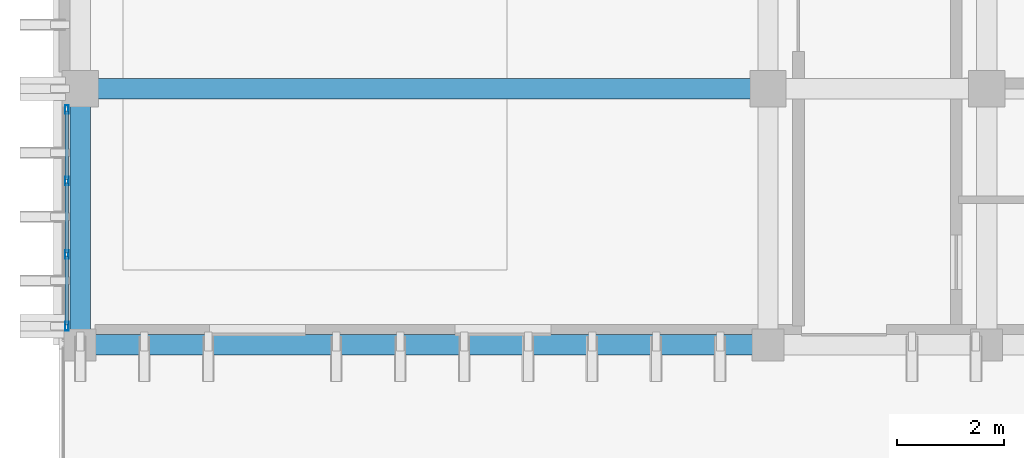
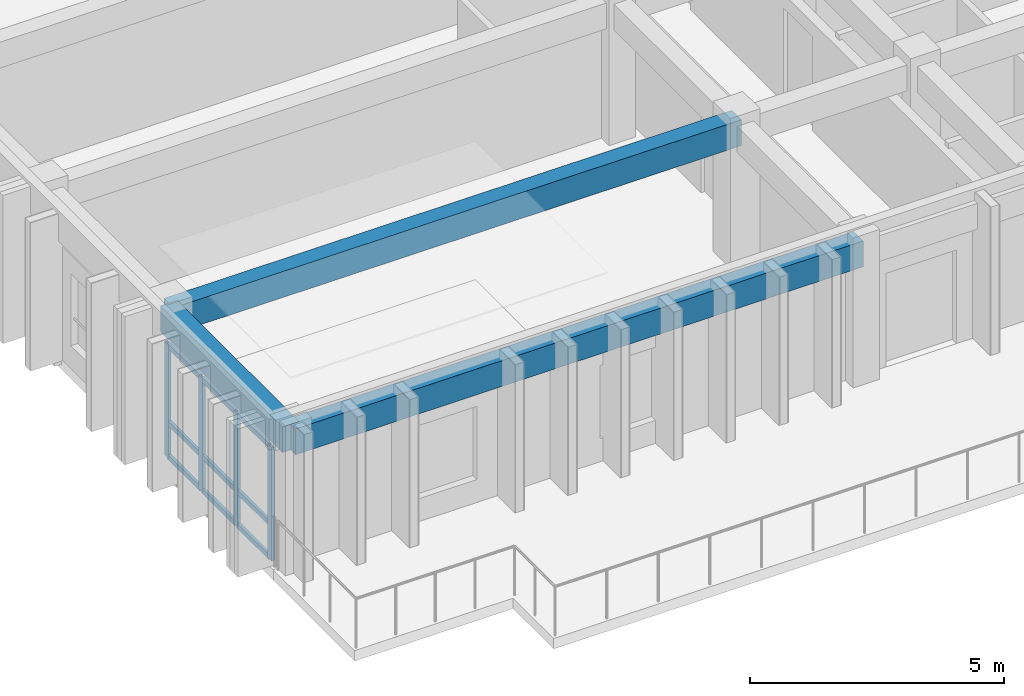
# One storey, part 2 of 53: 13 members, 3 beams, 1 element without a shape of its own.
"""IFC4 building model written with IfcOpenShell, lengths in metres."""

from ifc_helpers import new_model, si_unit, direction, frame, origin, origin_2d, place, context, subcontext, project, spatial, rectangle, hollow_rectangle, extrude, material, layer, layer_set, material_profile, profile_set, type_object, element, aggregate, save


model = new_model("IFC4")

# Units and contexts
model_context = context("Model", 3, precision=1e-05, world=origin(), true_north=direction((0.0, 1.0)))
body_context = subcontext(model_context, "Body", "Model", "MODEL_VIEW")
ifc_project = project(units=[si_unit("LENGTHUNIT", "METRE"), si_unit("AREAUNIT", "SQUARE_METRE"), si_unit("VOLUMEUNIT", "CUBIC_METRE"), si_unit("PLANEANGLEUNIT", "RADIAN"), si_unit("MASSUNIT", "GRAM", prefix="KILO")], contexts=[model_context])

# Site, building, storey
site_placement = place(None, origin())
site = spatial("IfcSite", under=ifc_project, at=site_placement, CompositionType="ELEMENT")
building_placement = place(site_placement, origin())
building = spatial("IfcBuilding", under=site, at=building_placement, Name="Nakhvara Creek Congress Hotel", CompositionType="ELEMENT")
storey_placement = place(building_placement, frame((0.0, 0.0, 35.39990234375)))
storey = spatial("IfcBuildingStorey", under=building, at=storey_placement, Name="L08", CompositionType="ELEMENT", Elevation=35.39990234375)

# Beams
ifc_material_1 = material(Name="Concrete C40/50", Category="concrete")
ifc_material_profile_1 = material_profile(ifc_material_1, rectangle(XDim=0.3798828125, YDim=0.6201171875, at=origin_2d()), Name="RC-BM 380x620", Category="LoadBearing")
ifc_profile_set_1 = profile_set([ifc_material_profile_1], Name="Concrete C40/50")
beam_type = type_object("IfcBeamType", Name="BM-RC-380X620", PredefinedType="BEAM", material=ifc_profile_set_1)
beam_1_placement = place(storey_placement, frame((149.449951171875, 57.60009765625, 3.050048828125), z_axis=(1.0, 0.0, 0.0), x_axis=(0.0, 1.0, 0.0)))
element("IfcBeam", 1, at=beam_1_placement, inside=storey, type_object=beam_type, Name="Beam B10-L08-2429", PredefinedType="BEAM", context=body_context, shape_type="SweptSolid", body=[
    extrude(rectangle(XDim=0.3798828125, YDim=0.6201171875, at=origin_2d()), origin(), (0.0, 0.0, 1.0), 12.900146484375),
])
beam_2_placement = place(storey_placement, frame((149.449951171875, 52.800048828125, 3.050048828125), z_axis=(0.0, 1.0, 0.0), x_axis=(-1.0, 0.0, 0.0)))
element("IfcBeam", 2, at=beam_2_placement, inside=storey, type_object=beam_type, Name="Beam B10-L08-2430", PredefinedType="BEAM", context=body_context, shape_type="SweptSolid", body=[
    extrude(rectangle(XDim=0.3798828125, YDim=0.6201171875, at=origin_2d()), origin(), (0.0, 0.0, 1.0), 4.800048828125),
])
beam_3_placement = place(storey_placement, frame((149.449951171875, 52.800048828125, 3.050048828125), z_axis=(1.0, 0.0, 0.0), x_axis=(0.0, 1.0, 0.0)))
element("IfcBeam", 3, at=beam_3_placement, inside=storey, type_object=beam_type, Name="Beam B10-L08-2511", PredefinedType="BEAM", context=body_context, shape_type="SweptSolid", body=[
    extrude(rectangle(XDim=0.3798828125, YDim=0.6201171875, at=origin_2d()), origin(), (0.0, 0.0, 1.0), 12.900146484375),
])

# Curtain wall, members
ifc_material_2 = material(Name="Bronze-anodised aluminium AW-6063-T6 and double-silver low-E glass", Category="aluminium")
ifc_layer = layer(ifc_material_2, 0.199951171875)
ifc_layer_set = layer_set([ifc_layer], Name="Bronze-anodised aluminium AW-6063-T6 and double-silver low-E glass")
curtain_wall_type = type_object("IfcCurtainWallType", Name="CW-HTL-UNIT", PredefinedType="USERDEFINED", material=ifc_layer_set)
curtain_wall_placement = place(storey_placement, origin())
curtain_wall = element("IfcCurtainWall", 4, at=curtain_wall_placement, inside=storey, type_object=curtain_wall_type, Name="Curtain Wall CW276", ObjectType="UNITISED", PredefinedType="USERDEFINED")
ifc_material_3 = material(Name="Bronze-anodised aluminium AW-6063-T6", Category="aluminium")
ifc_material_profile_2 = material_profile(ifc_material_3, hollow_rectangle(XDim=0.06494140625, YDim=0.159912109375, WallThickness=0.00390625, at=origin_2d()), Name="ALU-MULL 65x160x4", Category="LoadBearing")
ifc_profile_set_2 = profile_set([ifc_material_profile_2], Name="Bronze-anodised aluminium AW-6063-T6")
member_type_1 = type_object("IfcMemberType", Name="CW-MULL-160", PredefinedType="MULLION", material=ifc_profile_set_2)
member_1_placement = place(storey_placement, frame((149.199951171875, 53.1474609375, 0.0), z_axis=(0.0, 0.0, 1.0), x_axis=(-1.0, 0.0, 0.0)))
member_1 = element("IfcMember", 5, at=member_1_placement, type_object=member_type_1, Name="CW276 mullion 1", PredefinedType="MULLION", context=body_context, shape_type="SweptSolid", body=[
    extrude(hollow_rectangle(XDim=0.06494140625, YDim=0.159912109375, WallThickness=0.00390625, at=origin_2d()), origin(), (0.0, 0.0, 1.0), 2.732177734375),
])
member_2_placement = place(storey_placement, frame((149.199951171875, 54.49169921875, 0.0), z_axis=(0.0, 0.0, 1.0), x_axis=(-1.0, 0.0, 0.0)))
member_2 = element("IfcMember", 6, at=member_2_placement, type_object=member_type_1, Name="CW276 mullion 2", PredefinedType="MULLION", context=body_context, shape_type="SweptSolid", body=[
    extrude(hollow_rectangle(XDim=0.06494140625, YDim=0.159912109375, WallThickness=0.00390625, at=origin_2d()), origin(), (0.0, 0.0, 1.0), 2.732177734375),
])
member_3_placement = place(storey_placement, frame((149.199951171875, 55.868408203125, 0.0), z_axis=(0.0, 0.0, 1.0), x_axis=(-1.0, 0.0, 0.0)))
member_3 = element("IfcMember", 7, at=member_3_placement, type_object=member_type_1, Name="CW276 mullion 3", PredefinedType="MULLION", context=body_context, shape_type="SweptSolid", body=[
    extrude(hollow_rectangle(XDim=0.06494140625, YDim=0.159912109375, WallThickness=0.00390625, at=origin_2d()), origin(), (0.0, 0.0, 1.0), 2.732177734375),
])
member_4_placement = place(storey_placement, frame((149.199951171875, 57.21240234375, 0.0), z_axis=(0.0, 0.0, 1.0), x_axis=(-1.0, 0.0, 0.0)))
member_4 = element("IfcMember", 8, at=member_4_placement, type_object=member_type_1, Name="CW276 mullion 4", PredefinedType="MULLION", context=body_context, shape_type="SweptSolid", body=[
    extrude(hollow_rectangle(XDim=0.06494140625, YDim=0.159912109375, WallThickness=0.00390625, at=origin_2d()), origin(), (0.0, 0.0, 1.0), 2.732177734375),
])
ifc_material_profile_3 = material_profile(ifc_material_3, hollow_rectangle(XDim=0.06494140625, YDim=0.1201171875, WallThickness=0.00390625, at=origin_2d()), Name="ALU-TRAN 65x120x4", Category="LoadBearing")
ifc_profile_set_3 = profile_set([ifc_material_profile_3], Name="Bronze-anodised aluminium AW-6063-T6")
member_type_2 = type_object("IfcMemberType", Name="CW-TRAN-120", PredefinedType="USERDEFINED", material=ifc_profile_set_3)
member_5_placement = place(storey_placement, frame((149.199951171875, 53.179931640625, 0.03271484375), z_axis=(0.0, 1.0, 0.0), x_axis=(-1.0, 0.0, 0.0)))
member_5 = element("IfcMember", 9, at=member_5_placement, type_object=member_type_2, Name="CW276 transom 1.1", ObjectType="TRANSOM", PredefinedType="USERDEFINED", context=body_context, shape_type="SweptSolid", body=[
    extrude(hollow_rectangle(XDim=0.06494140625, YDim=0.1201171875, WallThickness=0.00390625, at=origin_2d()), origin(), (0.0, 0.0, 1.0), 1.279296875),
])
member_6_placement = place(storey_placement, frame((149.199951171875, 53.179931640625, 0.85009765625), z_axis=(0.0, 1.0, 0.0), x_axis=(-1.0, 0.0, 0.0)))
member_6 = element("IfcMember", 10, at=member_6_placement, type_object=member_type_2, Name="CW276 transom 1.2", ObjectType="TRANSOM", PredefinedType="USERDEFINED", context=body_context, shape_type="SweptSolid", body=[
    extrude(hollow_rectangle(XDim=0.06494140625, YDim=0.1201171875, WallThickness=0.00390625, at=origin_2d()), origin(), (0.0, 0.0, 1.0), 1.279296875),
])
member_7_placement = place(storey_placement, frame((149.199951171875, 53.179931640625, 2.69970703125), z_axis=(0.0, 1.0, 0.0), x_axis=(-1.0, 0.0, 0.0)))
member_7 = element("IfcMember", 11, at=member_7_placement, type_object=member_type_2, Name="CW276 transom 1.3", ObjectType="TRANSOM", PredefinedType="USERDEFINED", context=body_context, shape_type="SweptSolid", body=[
    extrude(hollow_rectangle(XDim=0.06494140625, YDim=0.1201171875, WallThickness=0.00390625, at=origin_2d()), origin(), (0.0, 0.0, 1.0), 1.279296875),
])
member_8_placement = place(storey_placement, frame((149.199951171875, 54.524169921875, 0.03271484375), z_axis=(0.0, 1.0, 0.0), x_axis=(-1.0, 0.0, 0.0)))
member_8 = element("IfcMember", 12, at=member_8_placement, type_object=member_type_2, Name="CW276 transom 2.1", ObjectType="TRANSOM", PredefinedType="USERDEFINED", context=body_context, shape_type="SweptSolid", body=[
    extrude(hollow_rectangle(XDim=0.06494140625, YDim=0.1201171875, WallThickness=0.00390625, at=origin_2d()), origin(), (0.0, 0.0, 1.0), 1.311767578125),
])
member_9_placement = place(storey_placement, frame((149.199951171875, 54.524169921875, 0.85009765625), z_axis=(0.0, 1.0, 0.0), x_axis=(-1.0, 0.0, 0.0)))
member_9 = element("IfcMember", 13, at=member_9_placement, type_object=member_type_2, Name="CW276 transom 2.2", ObjectType="TRANSOM", PredefinedType="USERDEFINED", context=body_context, shape_type="SweptSolid", body=[
    extrude(hollow_rectangle(XDim=0.06494140625, YDim=0.1201171875, WallThickness=0.00390625, at=origin_2d()), origin(), (0.0, 0.0, 1.0), 1.311767578125),
])
member_10_placement = place(storey_placement, frame((149.199951171875, 54.524169921875, 2.69970703125), z_axis=(0.0, 1.0, 0.0), x_axis=(-1.0, 0.0, 0.0)))
member_10 = element("IfcMember", 14, at=member_10_placement, type_object=member_type_2, Name="CW276 transom 2.3", ObjectType="TRANSOM", PredefinedType="USERDEFINED", context=body_context, shape_type="SweptSolid", body=[
    extrude(hollow_rectangle(XDim=0.06494140625, YDim=0.1201171875, WallThickness=0.00390625, at=origin_2d()), origin(), (0.0, 0.0, 1.0), 1.311767578125),
])
member_11_placement = place(storey_placement, frame((149.199951171875, 55.90087890625, 0.03271484375), z_axis=(0.0, 1.0, 0.0), x_axis=(-1.0, 0.0, 0.0)))
member_11 = element("IfcMember", 15, at=member_11_placement, type_object=member_type_2, Name="CW276 transom 3.1", ObjectType="TRANSOM", PredefinedType="USERDEFINED", context=body_context, shape_type="SweptSolid", body=[
    extrude(hollow_rectangle(XDim=0.06494140625, YDim=0.1201171875, WallThickness=0.00390625, at=origin_2d()), origin(), (0.0, 0.0, 1.0), 1.279052734375),
])
member_12_placement = place(storey_placement, frame((149.199951171875, 55.90087890625, 0.85009765625), z_axis=(0.0, 1.0, 0.0), x_axis=(-1.0, 0.0, 0.0)))
member_12 = element("IfcMember", 16, at=member_12_placement, type_object=member_type_2, Name="CW276 transom 3.2", ObjectType="TRANSOM", PredefinedType="USERDEFINED", context=body_context, shape_type="SweptSolid", body=[
    extrude(hollow_rectangle(XDim=0.06494140625, YDim=0.1201171875, WallThickness=0.00390625, at=origin_2d()), origin(), (0.0, 0.0, 1.0), 1.279052734375),
])
member_13_placement = place(storey_placement, frame((149.199951171875, 55.90087890625, 2.69970703125), z_axis=(0.0, 1.0, 0.0), x_axis=(-1.0, 0.0, 0.0)))
member_13 = element("IfcMember", 17, at=member_13_placement, type_object=member_type_2, Name="CW276 transom 3.3", ObjectType="TRANSOM", PredefinedType="USERDEFINED", context=body_context, shape_type="SweptSolid", body=[
    extrude(hollow_rectangle(XDim=0.06494140625, YDim=0.1201171875, WallThickness=0.00390625, at=origin_2d()), origin(), (0.0, 0.0, 1.0), 1.279052734375),
])
aggregate(curtain_wall, [member_1, member_2, member_3, member_4, member_5, member_6, member_7, member_8, member_9, member_10, member_11, member_12, member_13])

save(model, "model.ifc")
